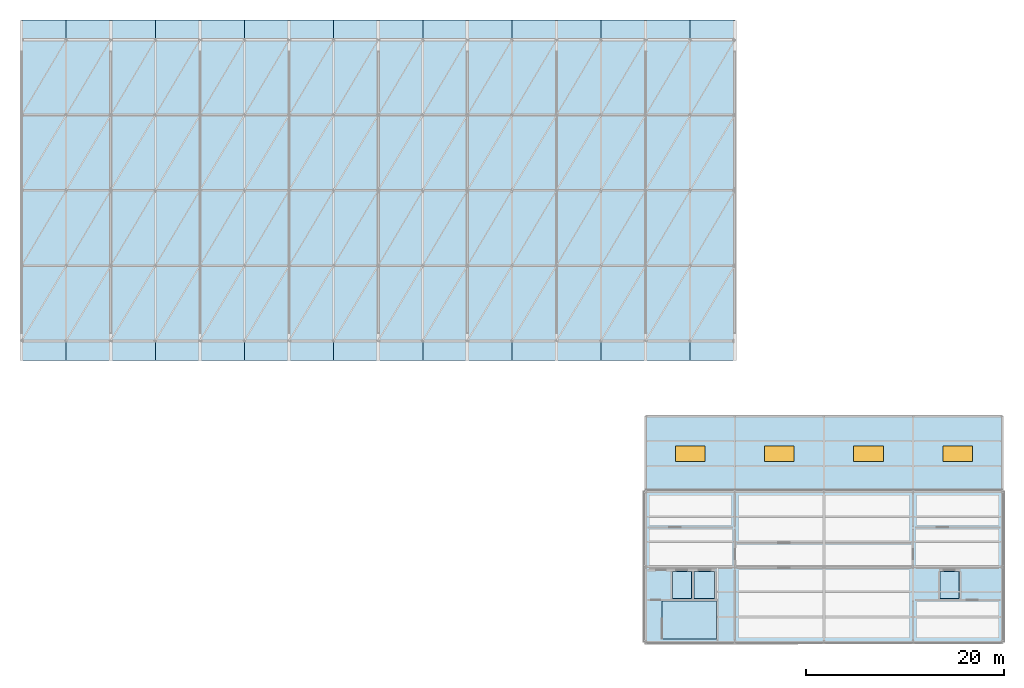
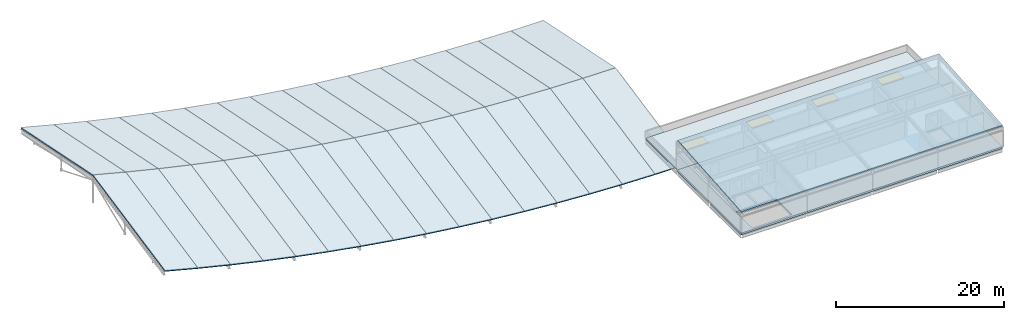
# One storey, part 14 of 21: 35 slabs, 4 windows, 4 openings.
"""IFC4 building model written with IfcOpenShell, lengths in metres."""

from ifc_helpers import new_model, si_unit, direction, frame, origin, origin_2d, place, context, subcontext, project, spatial, polyline, rectangle, outline, extrude, material, layer, layer_set, type_object, element, fill, save


model = new_model("IFC4")

# Units and contexts
model_context = context("Model", 3, precision=1e-05, world=origin(), true_north=direction((0.0, 1.0)))
body_context = subcontext(model_context, "Body", "Model", "MODEL_VIEW")
ifc_project = project(units=[si_unit("LENGTHUNIT", "METRE"), si_unit("AREAUNIT", "SQUARE_METRE"), si_unit("VOLUMEUNIT", "CUBIC_METRE"), si_unit("PLANEANGLEUNIT", "RADIAN"), si_unit("MASSUNIT", "GRAM", prefix="KILO")], contexts=[model_context])

# Site, building, storey
site_placement = place(None, origin())
site = spatial("IfcSite", under=ifc_project, at=site_placement, CompositionType="ELEMENT")
building_placement = place(site_placement, origin())
building = spatial("IfcBuilding", under=site, at=building_placement, Name="Caisbarro Railhouse Central Library", CompositionType="ELEMENT")
storey_placement = place(building_placement, frame((0.0, 0.0, 26.639892578125)))
storey = spatial("IfcBuildingStorey", under=building, at=storey_placement, Name="RF", CompositionType="ELEMENT", Elevation=26.639892578125)

# Slabs
ifc_material_1 = material(Name="Concrete C35", Category="concrete")
ifc_layer_1 = layer(ifc_material_1, 0.280029296875, Name="Concrete C35")
ifc_layer_set_1 = layer_set([ifc_layer_1], Name="Concrete C35")
slab_type_1 = type_object("IfcSlabType", Name="SLB-FL28", PredefinedType="FLOOR", material=ifc_layer_set_1)
slab_1_placement = place(storey_placement, frame((0.0, 0.0, -0.27978515625)))
element("IfcSlab", 1, at=slab_1_placement, inside=storey, type_object=slab_type_1, Name="SF28 Roof Maintenance Headhouse Floor Slab", PredefinedType="FLOOR", context=body_context, shape_type="SweptSolid", body=[
    extrude(outline(polyline([(63.0, 0.0), (99.0, 0.0), (99.0, 15.199951171875), (63.0, 15.199951171875), (63.0, 0.0)]), holes=[polyline([(64.64990234375, 0.300048828125), (70.14990234375, 0.300048828125), (70.14990234375, 4.14990234375), (64.64990234375, 4.14990234375), (64.64990234375, 0.300048828125)]), polyline([(65.699951171875, 4.39990234375), (67.64990234375, 4.39990234375), (67.64990234375, 7.10009765625), (65.699951171875, 7.10009765625), (65.699951171875, 4.39990234375)]), polyline([(67.89990234375, 4.39990234375), (69.949951171875, 4.39990234375), (69.949951171875, 7.10009765625), (67.89990234375, 7.10009765625), (67.89990234375, 4.39990234375)]), polyline([(92.699951171875, 4.39990234375), (94.64990234375, 4.39990234375), (94.64990234375, 7.10009765625), (92.699951171875, 7.10009765625), (92.699951171875, 4.39990234375)])]), origin(), (0.0, 0.0, 1.0), 0.27978515625),
])
ifc_layer_2 = layer(ifc_material_1, 0.14990234375, Name="Concrete C35")
ifc_layer_set_2 = layer_set([ifc_layer_2], Name="Concrete C35")
slab_type_2 = type_object("IfcSlabType", Name="SLB-RF15", PredefinedType="ROOF", material=ifc_layer_set_2)
slab_2_placement = place(storey_placement, frame((0.0, 28.39990234375, -0.647705078125), z_axis=(0.245403430711, -0.193716535516, 0.949868969944), x_axis=(0.968209231083, 0.0, -0.250141729515)))
element("IfcSlab", 2, at=slab_2_placement, inside=storey, type_object=slab_type_2, Name="V1 Gridshell South Roof Strip 1", PredefinedType="ROOF", context=body_context, shape_type="SweptSolid", body=[
    extrude(outline(polyline([(0.0, 0.0), (4.647755728340076, 2.7755575615628914e-17), (3.7703054427759177, 17.53230014344001), (-0.8774502855641584, 17.53230014344001), (0.0, 0.0)])), origin(), (0.0, 0.0, -1.0), 0.14990234375),
])
slab_3_placement = place(storey_placement, frame((0.0, 45.60009765625, 2.860107421875), z_axis=(0.245403299995, 0.193719181993, 0.949868463988), x_axis=(0.968209231083, 0.0, -0.250141729515)))
element("IfcSlab", 3, at=slab_3_placement, inside=storey, type_object=slab_type_2, Name="V1 Gridshell North Roof Strip 1", PredefinedType="ROOF", context=body_context, shape_type="SweptSolid", body=[
    extrude(outline(polyline([(0.0, 0.0), (4.647755728340076, 0.0), (5.525206013904235, 17.53206062750194), (0.8774502855641584, 17.53206062750194), (0.0, 0.0)])), origin(), (0.0, 0.0, -1.0), 0.14990234375),
])
slab_4_placement = place(storey_placement, frame((4.5, 28.39990234375, -1.810302734375), z_axis=(0.23040111793, -0.194450840163, 0.953469556733), x_axis=(0.972023279944, 0.0, -0.234884531731)))
element("IfcSlab", 4, at=slab_4_placement, inside=storey, type_object=slab_type_2, Name="V1 Gridshell South Roof Strip 2", PredefinedType="ROOF", context=body_context, shape_type="SweptSolid", body=[
    extrude(outline(polyline([(0.0, 0.0), (4.629518750063876, 0.0), (3.8055878536001955, 17.53489678330488), (-0.8239308964636806, 17.534896783304884), (0.0, 0.0)])), origin(), (0.0, 0.0, -1.0), 0.14990234375),
])
slab_5_placement = place(storey_placement, frame((4.5, 45.60009765625, 1.697509765625), z_axis=(0.230400994273, 0.194453495885, 0.953469045002), x_axis=(0.972023279944, 0.0, -0.234884531731)))
element("IfcSlab", 5, at=slab_5_placement, inside=storey, type_object=slab_type_2, Name="V1 Gridshell North Roof Strip 2", PredefinedType="ROOF", context=body_context, shape_type="SweptSolid", body=[
    extrude(outline(polyline([(0.0, 0.0), (4.629518750063876, 0.0), (5.453449646527556, 17.534657302835807), (0.8239308964636806, 17.534657302835807), (0.0, 0.0)])), origin(), (0.0, 0.0, -1.0), 0.14990234375),
])
slab_6_placement = place(storey_placement, frame((9.0, 28.39990234375, -2.897705078125), z_axis=(0.215306681858, -0.195146910886, 0.956849369503), x_axis=(0.975606139495, -4.941683e-06, -0.219528268236)))
element("IfcSlab", 6, at=slab_6_placement, inside=storey, type_object=slab_type_2, Name="V1 Gridshell South Roof Strip 3", PredefinedType="ROOF", context=body_context, shape_type="SweptSolid", body=[
    extrude(outline(polyline([(0.0, 0.0), (4.612542875932597, -2.7755575615628914e-17), (3.842340278827366, 17.537387722455975), (-0.7701490013366185, 17.537341241630685), (0.0, 0.0)])), origin(), (0.0, 0.0, -1.0), 0.14990234375),
])
slab_7_placement = place(storey_placement, frame((9.0, 45.60009765625, 0.610107421875), z_axis=(0.215306565474, 0.195149575363, 0.956848852275), x_axis=(0.975606571208, -4.941805e-06, -0.219526349652)))
element("IfcSlab", 7, at=slab_7_placement, inside=storey, type_object=slab_type_2, Name="V1 Gridshell North Roof Strip 3", PredefinedType="ROOF", context=body_context, shape_type="SweptSolid", body=[
    extrude(outline(polyline([(0.0, 0.0), (4.612489280398184, 5.551115123125783e-17), (5.382515150277484, 17.537156036677985), (0.7699722745790923, 17.53710955467796), (0.0, 0.0)])), origin(), (0.0, 0.0, -1.0), 0.14990234375),
])
slab_8_placement = place(storey_placement, frame((13.5, 28.39990234375, -3.910400390625), z_axis=(0.200006381712, -0.195802534411, 0.960030632216), x_axis=(0.978980419738, 0.0, -0.203954254112)))
element("IfcSlab", 8, at=slab_8_placement, inside=storey, type_object=slab_type_2, Name="V1 Gridshell South Roof Strip 4", PredefinedType="ROOF", context=body_context, shape_type="SweptSolid", body=[
    extrude(outline(polyline([(0.0, 0.0), (4.5966190020492235, 0.0), (3.8811359265278997, 17.539705360998024), (-0.715483075521324, 17.539705360998024), (0.0, 0.0)])), origin(), (0.0, 0.0, -1.0), 0.14990234375),
])
slab_9_placement = place(storey_placement, frame((13.5, 45.60009765625, -0.40234375), z_axis=(0.20000627287, 0.195805207128, 0.960030109775), x_axis=(0.978980419738, 0.0, -0.203954254112)))
element("IfcSlab", 9, at=slab_9_placement, inside=storey, type_object=slab_type_2, Name="V1 Gridshell North Roof Strip 4", PredefinedType="ROOF", context=body_context, shape_type="SweptSolid", body=[
    extrude(outline(polyline([(0.0, 0.0), (4.5966190020492235, 2.7755575615628914e-17), (5.312102077570548, 17.539465946184333), (0.715483075521324, 17.539465946184333), (0.0, 0.0)])), origin(), (0.0, 0.0, -1.0), 0.14990234375),
])
slab_10_placement = place(storey_placement, frame((18.0, 28.39990234375, -4.847900390625), z_axis=(0.184558899683, -0.196400861935, 0.962997774649), x_axis=(0.982126157019, 5.038898e-06, -0.188223833966)))
element("IfcSlab", 10, at=slab_10_placement, inside=storey, type_object=slab_type_2, Name="V1 Gridshell South Roof Strip 5", PredefinedType="ROOF", context=body_context, shape_type="SweptSolid", body=[
    extrude(outline(polyline([(0.0, 0.0), (4.581874000915527, 0.0), (3.9217067533661876, 17.541825632320815), (-0.6602132006338037, 17.541872724936475), (0.0, 0.0)])), origin(), (0.0, 0.0, -1.0), 0.14990234375),
])
slab_11_placement = place(storey_placement, frame((18.0, 45.60009765625, -1.33984375), z_axis=(0.184558798632, 0.196403542165, 0.962997247386), x_axis=(0.982125777065, 5.038914e-06, -0.188225816505)))
element("IfcSlab", 11, at=slab_11_placement, inside=storey, type_object=slab_type_2, Name="V1 Gridshell North Roof Strip 5", PredefinedType="ROOF", context=body_context, shape_type="SweptSolid", body=[
    extrude(outline(polyline([(0.0, 0.0), (4.581919954242, 0.0), (5.2422674952711334, 17.54157946027889), (0.6603934945976158, 17.541626553064898), (0.0, 0.0)])), origin(), (0.0, 0.0, -1.0), 0.14990234375),
])
slab_12_placement = place(storey_placement, frame((22.5, 28.39990234375, -5.710205078125), z_axis=(0.169024279245, -0.196951904292, 0.96573326567), x_axis=(0.985026837219, 0.0, -0.172401072964)))
element("IfcSlab", 12, at=slab_12_placement, inside=storey, type_object=slab_type_2, Name="V1 Gridshell South Roof Strip 6", PredefinedType="ROOF", context=body_context, shape_type="SweptSolid", body=[
    extrude(outline(polyline([(0.0, 0.0), (4.5684034484850935, 2.7755575615628914e-17), (3.963652809729535, 17.543823528188717), (-0.6047506387555578, 17.543823528188717), (0.0, 0.0)])), origin(), (0.0, 0.0, -1.0), 0.14990234375),
])
slab_13_placement = place(storey_placement, frame((22.5, 45.60009765625, -2.202392578125), z_axis=(0.169024186181, 0.196954591435, 0.965732733938), x_axis=(0.985026837219, 0.0, -0.172401072964)))
element("IfcSlab", 13, at=slab_13_placement, inside=storey, type_object=slab_type_2, Name="V1 Gridshell North Roof Strip 6", PredefinedType="ROOF", context=body_context, shape_type="SweptSolid", body=[
    extrude(outline(polyline([(0.0, 0.0), (4.5684034484850935, 0.0), (5.1731540872406505, 17.543584169575073), (0.6047506387555578, 17.543584169575077), (0.0, 0.0)])), origin(), (0.0, 0.0, -1.0), 0.14990234375),
])
slab_14_placement = place(storey_placement, frame((27.0, 28.39990234375, -6.497802734375), z_axis=(0.153285473762, -0.197465471964, 0.968251491564), x_axis=(0.987699449242, 0.0, -0.15636431168)))
element("IfcSlab", 14, at=slab_14_placement, inside=storey, type_object=slab_type_2, Name="V1 Gridshell South Roof Strip 7", PredefinedType="ROOF", context=body_context, shape_type="SweptSolid", body=[
    extrude(outline(polyline([(0.0, 0.0), (4.556041823708436, 0.0), (4.007545136643022, 17.545672364078314), (-0.5484966870654145, 17.545672364078314), (0.0, 0.0)])), origin(), (0.0, 0.0, -1.0), 0.14990234375),
])
slab_15_placement = place(storey_placement, frame((27.0, 45.60009765625, -2.989990234375), z_axis=(0.153285388922, 0.197468165547, 0.968250955661), x_axis=(0.987699449242, 0.0, -0.15636431168)))
element("IfcSlab", 15, at=slab_15_placement, inside=storey, type_object=slab_type_2, Name="V1 Gridshell North Roof Strip 7", PredefinedType="ROOF", context=body_context, shape_type="SweptSolid", body=[
    extrude(outline(polyline([(0.0, 0.0), (4.556041823708436, 0.0), (5.104538510773851, 17.545433030686898), (0.5484966870654145, 17.5454330306869), (0.0, 0.0)])), origin(), (0.0, 0.0, -1.0), 0.14990234375),
])
slab_16_placement = place(storey_placement, frame((31.5, 28.39990234375, -7.210205078125), z_axis=(0.13750645474, -0.197935468089, 0.970522295147), x_axis=(0.990111454344, -5.159519e-06, -0.140282956731)))
element("IfcSlab", 16, at=slab_16_placement, inside=storey, type_object=slab_type_2, Name="V1 Gridshell South Roof Strip 8", PredefinedType="ROOF", context=body_context, shape_type="SweptSolid", body=[
    extrude(outline(polyline([(0.0, 0.0), (4.544959328481265, 0.0), (4.052750025824427, 17.54739040912701), (-0.492175053888105, 17.54734256306629), (0.0, 0.0)])), origin(), (0.0, 0.0, -1.0), 0.14990234375),
])
slab_17_placement = place(storey_placement, frame((31.5, 45.60009765625, -3.702392578125), z_axis=(0.137506378271, 0.197938167561, 0.970521755427), x_axis=(0.990111746659, -5.159625e-06, -0.14028089357)))
element("IfcSlab", 17, at=slab_17_placement, inside=storey, type_object=slab_type_2, Name="V1 Gridshell North Roof Strip 8", PredefinedType="ROOF", context=body_context, shape_type="SweptSolid", body=[
    extrude(outline(polyline([(0.0, 0.0), (4.544925079964379, -2.7755575615628914e-17), (5.036949654904875, 17.547156279931414), (0.491990326675464, 17.547108432857613), (0.0, 0.0)])), origin(), (0.0, 0.0, -1.0), 0.14990234375),
])
slab_18_placement = place(storey_placement, frame((36.0, 28.39990234375, -7.847900390625), z_axis=(0.121570115687, -0.198358143679, 0.972560925499), x_axis=(0.992277876714, 0.0, -0.124034734589)))
element("IfcSlab", 18, at=slab_18_placement, inside=storey, type_object=slab_type_2, Name="V1 Gridshell South Roof Strip 9", PredefinedType="ROOF", context=body_context, shape_type="SweptSolid", body=[
    extrude(outline(polyline([(0.0, 0.0), (4.535019983417935, 0.0), (4.099899109074102, 17.548898826042915), (-0.4351208743438321, 17.548898826042915), (0.0, 0.0)])), origin(), (0.0, 0.0, -1.0), 0.14990234375),
])
slab_19_placement = place(storey_placement, frame((36.0, 45.60009765625, -4.33984375), z_axis=(0.121570047792, 0.198360848444, 0.972560382333), x_axis=(0.992277876714, 0.0, -0.124034734589)))
element("IfcSlab", 19, at=slab_19_placement, inside=storey, type_object=slab_type_2, Name="V1 Gridshell North Roof Strip 9", PredefinedType="ROOF", context=body_context, shape_type="SweptSolid", body=[
    extrude(outline(polyline([(0.0, 0.0), (4.535019983417935, 0.0), (4.970140857761767, 17.548659536654867), (0.4351208743438321, 17.548659536654863), (0.0, 0.0)])), origin(), (0.0, 0.0, -1.0), 0.14990234375),
])
slab_20_placement = place(storey_placement, frame((40.5, 28.39990234375, -8.410400390625), z_axis=(0.105539545839, -0.198717664386, 0.974357580216), x_axis=(0.994184942063, 5.221807e-06, -0.107686122354)))
element("IfcSlab", 20, at=slab_20_placement, inside=storey, type_object=slab_type_2, Name="V1 Gridshell South Roof Strip 10", PredefinedType="ROOF", context=body_context, shape_type="SweptSolid", body=[
    extrude(outline(polyline([(0.0, 0.0), (4.526308191485939, -1.3877787807814457e-17), (4.1486552815074065, 17.55018078507288), (-0.3776792005357489, 17.55022901814435), (0.0, 0.0)])), origin(), (0.0, 0.0, -1.0), 0.14990234375),
])
slab_21_placement = place(storey_placement, frame((40.5, 45.60009765625, -4.90234375), z_axis=(0.105539486682, 0.198720373651, 0.974357034073), x_axis=(0.994184714026, 5.221844e-06, -0.107688227624)))
element("IfcSlab", 21, at=slab_21_placement, inside=storey, type_object=slab_type_2, Name="V1 Gridshell North Roof Strip 10", PredefinedType="ROOF", context=body_context, shape_type="SweptSolid", body=[
    extrude(outline(polyline([(0.0, 0.0), (4.526334482300145, 1.3877787807814457e-17), (4.904174408733262, 17.549937487805668), (0.37786621750431404, 17.549985721254576), (0.0, 0.0)])), origin(), (0.0, 0.0, -1.0), 0.14990234375),
])
slab_22_placement = place(storey_placement, frame((45.0, 28.39990234375, -8.897705078125), z_axis=(0.089478753626, -0.199025478206, 0.975900820614), x_axis=(0.995822939855, 0.0, -0.091305380228)))
element("IfcSlab", 22, at=slab_22_placement, inside=storey, type_object=slab_type_2, Name="V1 Gridshell South Roof Strip 11", PredefinedType="ROOF", context=body_context, shape_type="SweptSolid", body=[
    extrude(outline(polyline([(0.0, 0.0), (4.518875615232511, 0.0), (4.1985934611529085, 17.551321507655242), (-0.3202821540796016, 17.551321507655242), (0.0, 0.0)])), origin(), (0.0, 0.0, -1.0), 0.14990234375),
])
slab_23_placement = place(storey_placement, frame((45.0, 45.60009765625, -5.389892578125), z_axis=(0.089478703316, 0.199028191321, 0.975900271909), x_axis=(0.995822939855, 0.0, -0.091305380228)))
element("IfcSlab", 23, at=slab_23_placement, inside=storey, type_object=slab_type_2, Name="V1 Gridshell North Roof Strip 11", PredefinedType="ROOF", context=body_context, shape_type="SweptSolid", body=[
    extrude(outline(polyline([(0.0, 0.0), (4.518875615232511, 0.0), (4.839157769312112, 17.551082251297743), (0.3202821540796016, 17.551082251297743), (0.0, 0.0)])), origin(), (0.0, 0.0, -1.0), 0.14990234375),
])
slab_24_placement = place(storey_placement, frame((49.5, 28.39990234375, -9.310302734375), z_axis=(0.073268616355, -0.199289951634, 0.977197638677), x_axis=(0.997200923626, 0.0, -0.074768428627)))
element("IfcSlab", 24, at=slab_24_placement, inside=storey, type_object=slab_type_2, Name="V1 Gridshell South Roof Strip 12", PredefinedType="ROOF", context=body_context, shape_type="SweptSolid", body=[
    extrude(outline(polyline([(0.0, 0.0), (4.512631199374484, 0.0), (4.25035757083165, 17.55228417805142), (-0.262273628542834, 17.55228417805142), (0.0, 0.0)])), origin(), (0.0, 0.0, -1.0), 0.14990234375),
])
slab_25_placement = place(storey_placement, frame((49.5, 45.60009765625, -5.802490234375), z_axis=(0.07326857505, 0.199292668056, 0.977197087782), x_axis=(0.997200923626, 0.0, -0.074768428627)))
element("IfcSlab", 25, at=slab_25_placement, inside=storey, type_object=slab_type_2, Name="V1 Gridshell North Roof Strip 12", PredefinedType="ROOF", context=body_context, shape_type="SweptSolid", body=[
    extrude(outline(polyline([(0.0, 0.0), (4.512631199374484, 0.0), (4.774904827917317, 17.552044934816326), (0.262273628542834, 17.552044934816323), (0.0, 0.0)])), origin(), (0.0, 0.0, -1.0), 0.14990234375),
])
slab_26_placement = place(storey_placement, frame((54.0, 28.39990234375, -9.647705078125), z_axis=(0.057079475368, -0.199507913023, 0.978232347724), x_axis=(0.998301933484, -5.285194e-06, -0.058251605759)))
element("IfcSlab", 26, at=slab_26_placement, inside=storey, type_object=slab_type_2, Name="V1 Gridshell South Roof Strip 13", PredefinedType="ROOF", context=body_context, shape_type="SweptSolid", body=[
    extrude(outline(polyline([(0.0, 0.0), (4.507661124458002, -6.938893903907228e-18), (4.303220285678668, 17.553101837315243), (-0.20442661719589675, 17.55305321211172), (0.0, 0.0)])), origin(), (0.0, 0.0, -1.0), 0.14990234375),
])
slab_27_placement = place(storey_placement, frame((54.0, 45.60009765625, -6.139892578125), z_axis=(0.057079443119, 0.19951063217, 0.978231795039), x_axis=(0.99830205885, -5.28528e-06, -0.058249457238)))
element("IfcSlab", 27, at=slab_27_placement, inside=storey, type_object=slab_type_2, Name="V1 Gridshell North Roof Strip 13", PredefinedType="ROOF", context=body_context, shape_type="SweptSolid", body=[
    extrude(outline(polyline([(0.0, 0.0), (4.507646903136833, 1.3877787807814457e-17), (4.711898391858074, 17.552864809591995), (0.20423726766234418, 17.552816183572332), (0.0, 0.0)])), origin(), (0.0, 0.0, -1.0), 0.14990234375),
])
slab_28_placement = place(storey_placement, frame((58.5, 28.39990234375, -9.910400390625), z_axis=(0.040792204379, -0.199674053728, 0.979012905089), x_axis=(0.999133073092, 0.0, -0.041630544712)))
element("IfcSlab", 28, at=slab_28_placement, inside=storey, type_object=slab_type_2, Name="V1 Gridshell South Roof Strip 14", PredefinedType="ROOF", context=body_context, shape_type="SweptSolid", body=[
    extrude(outline(polyline([(0.0, 0.0), (4.503904556049118, 6.938893903907228e-18), (4.357862247218715, 17.55368485036722), (-0.1460423088304037, 17.55368485036722), (0.0, 0.0)])), origin(), (0.0, 0.0, -1.0), 0.14990234375),
])
slab_29_placement = place(storey_placement, frame((58.5, 45.60009765625, -6.40234375), z_axis=(0.040792181293, 0.199676774951, 0.979012351041), x_axis=(0.999133073092, 0.0, -0.041630544712)))
element("IfcSlab", 29, at=slab_29_placement, inside=storey, type_object=slab_type_2, Name="V1 Gridshell North Roof Strip 14", PredefinedType="ROOF", context=body_context, shape_type="SweptSolid", body=[
    extrude(outline(polyline([(0.0, 0.0), (4.503904556049118, 0.0), (4.649946864879522, 17.55344562622247), (0.1460423088304037, 17.55344562622247), (0.0, 0.0)])), origin(), (0.0, 0.0, -1.0), 0.14990234375),
])
slab_30_placement = place(storey_placement, frame((63.0, 28.39990234375, -10.097900390625), z_axis=(0.024472466289, -0.199773865047, 0.979536370554), x_axis=(0.999688079804, 5.306664e-06, -0.02497484875)))
element("IfcSlab", 30, at=slab_30_placement, inside=storey, type_object=slab_type_2, Name="V1 Gridshell South Roof Strip 15", PredefinedType="ROOF", context=body_context, shape_type="SweptSolid", body=[
    extrude(outline(polyline([(0.0, 0.0), (4.501401151701205, 0.0), (4.413885340724289, 17.55402541560866), (-0.08752190835209948, 17.55407417334338), (0.0, 0.0)])), origin(), (0.0, 0.0, -1.0), 0.14990234375),
])
slab_31_placement = place(storey_placement, frame((63.0, 45.60009765625, -6.58984375), z_axis=(0.024472452426, 0.199776587518, 0.979535815655), x_axis=(0.999688025758, 5.306726e-06, -0.024977011988)))
element("IfcSlab", 31, at=slab_31_placement, inside=storey, type_object=slab_type_2, Name="V1 Gridshell North Roof Strip 15", PredefinedType="ROOF", context=body_context, shape_type="SweptSolid", body=[
    extrude(outline(polyline([(0.0, 0.0), (4.5014072493404536, 0.0), (4.589113199632464, 17.553785247120526), (0.08771204819532755, 17.553834005453655), (0.0, 0.0)])), origin(), (0.0, 0.0, -1.0), 0.14990234375),
])
slab_32_placement = place(storey_placement, frame((67.5, 28.39990234375, -10.210205078125), z_axis=(0.008186249275, -0.199820342388, 0.979798354811), x_axis=(0.999965098525, 0.0, -0.008354743119)))
element("IfcSlab", 32, at=slab_32_placement, inside=storey, type_object=slab_type_2, Name="V1 Gridshell South Roof Strip 16", PredefinedType="ROOF", context=body_context, shape_type="SweptSolid", body=[
    extrude(outline(polyline([(0.0, 0.0), (4.500157062120776, -8.673617379884035e-19), (4.470850189773014, 17.554219106258657), (-0.02930687234776197, 17.554219106258657), (0.0, 0.0)])), origin(), (0.0, 0.0, -1.0), 0.14990234375),
])
slab_33_placement = place(storey_placement, frame((67.5, 45.60009765625, -6.702392578125), z_axis=(0.008186244636, 0.19982306544, 0.979797799506), x_axis=(0.999965098525, 0.0, -0.008354743119)))
element("IfcSlab", 33, at=slab_33_placement, inside=storey, type_object=slab_type_2, Name="V1 Gridshell North Roof Strip 16", PredefinedType="ROOF", context=body_context, shape_type="SweptSolid", body=[
    extrude(outline(polyline([(0.0, 0.0), (4.500157062120776, 8.673617379884035e-19), (4.529463934468538, 17.553979889394704), (0.02930687234776197, 17.553979889394704), (0.0, 0.0)])), origin(), (0.0, 0.0, -1.0), 0.14990234375),
])

# Slab, openings, windows
ifc_layer_3 = layer(ifc_material_1, 0.179931640625, Name="Concrete C35")
ifc_layer_set_3 = layer_set([ifc_layer_3], Name="Concrete C35")
slab_type_3 = type_object("IfcSlabType", Name="SLB-RF18", PredefinedType="ROOF", material=ifc_layer_set_3)
slab_34_placement = place(storey_placement, frame((0.0, 0.0, -0.179931640625)))
slab_34 = element("IfcSlab", 34, at=slab_34_placement, inside=storey, type_object=slab_type_3, Name="V5 Archive Wing Top Roof Slab", PredefinedType="ROOF", context=body_context, shape_type="SweptSolid", body=[
    extrude(outline(polyline([(63.0, 15.199951171875), (99.0, 15.199951171875), (99.0, 22.800048828125), (63.0, 22.800048828125), (63.0, 15.199951171875)])), origin(), (0.0, 0.0, 1.0), 0.179931640625),
])
opening_1_placement = place(slab_34_placement, frame((67.5, 19.0, -0.010009765625)))
opening_1 = element("IfcOpeningElement", 35, at=opening_1_placement, cuts=slab_34, Name="Opening SK03", PredefinedType="OPENING", context=body_context, shape_type="SweptSolid", body=[
    extrude(rectangle(XDim=3.0, YDim=1.550048828125, at=origin_2d()), origin(), (0.0, 0.0, 1.0), 0.199951171875),
])
opening_2_placement = place(slab_34_placement, frame((76.5, 19.0, -0.010009765625)))
opening_2 = element("IfcOpeningElement", 36, at=opening_2_placement, cuts=slab_34, Name="Opening SK03", PredefinedType="OPENING", context=body_context, shape_type="SweptSolid", body=[
    extrude(rectangle(XDim=3.0, YDim=1.550048828125, at=origin_2d()), origin(), (0.0, 0.0, 1.0), 0.199951171875),
])
opening_3_placement = place(slab_34_placement, frame((85.5, 19.0, -0.010009765625)))
opening_3 = element("IfcOpeningElement", 37, at=opening_3_placement, cuts=slab_34, Name="Opening SK03", PredefinedType="OPENING", context=body_context, shape_type="SweptSolid", body=[
    extrude(rectangle(XDim=3.0, YDim=1.550048828125, at=origin_2d()), origin(), (0.0, 0.0, 1.0), 0.199951171875),
])
opening_4_placement = place(slab_34_placement, frame((94.5, 19.0, -0.010009765625)))
opening_4 = element("IfcOpeningElement", 38, at=opening_4_placement, cuts=slab_34, Name="Opening SK03", PredefinedType="OPENING", context=body_context, shape_type="SweptSolid", body=[
    extrude(rectangle(XDim=3.0, YDim=1.550048828125, at=origin_2d()), origin(), (0.0, 0.0, 1.0), 0.199951171875),
])
ifc_material_2 = material(Name="Laminated acoustic skylight glass", Category="glass")
window_type = type_object("IfcWindowType", Name="WIN-SK03", PartitioningType="SINGLE_PANEL", PredefinedType="SKYLIGHT", material=ifc_material_2)
window_1_placement = place(slab_34_placement, frame((67.5, 19.0, 0.1298828125)))
window_1 = element("IfcWindow", 39, at=window_1_placement, inside=storey, type_object=window_type, Name="SK03 roof skylight 10", OverallHeight=1.550048828125, OverallWidth=3.0, PartitioningType="SINGLE_PANEL", PredefinedType="SKYLIGHT", context=body_context, shape_type="SweptSolid", body=[
    extrude(rectangle(XDim=3.0, YDim=1.550048828125, at=origin_2d()), origin(), (0.0, 0.0, 1.0), 0.050048828125),
])
fill(opening_1, window_1)
window_2_placement = place(slab_34_placement, frame((76.5, 19.0, 0.1298828125)))
window_2 = element("IfcWindow", 40, at=window_2_placement, inside=storey, type_object=window_type, Name="SK03 roof skylight 11", OverallHeight=1.550048828125, OverallWidth=3.0, PartitioningType="SINGLE_PANEL", PredefinedType="SKYLIGHT", context=body_context, shape_type="SweptSolid", body=[
    extrude(rectangle(XDim=3.0, YDim=1.550048828125, at=origin_2d()), origin(), (0.0, 0.0, 1.0), 0.050048828125),
])
fill(opening_2, window_2)
window_3_placement = place(slab_34_placement, frame((85.5, 19.0, 0.1298828125)))
window_3 = element("IfcWindow", 41, at=window_3_placement, inside=storey, type_object=window_type, Name="SK03 roof skylight 12", OverallHeight=1.550048828125, OverallWidth=3.0, PartitioningType="SINGLE_PANEL", PredefinedType="SKYLIGHT", context=body_context, shape_type="SweptSolid", body=[
    extrude(rectangle(XDim=3.0, YDim=1.550048828125, at=origin_2d()), origin(), (0.0, 0.0, 1.0), 0.050048828125),
])
fill(opening_3, window_3)
window_4_placement = place(slab_34_placement, frame((94.5, 19.0, 0.1298828125)))
window_4 = element("IfcWindow", 42, at=window_4_placement, inside=storey, type_object=window_type, Name="SK03 roof skylight 13", OverallHeight=1.550048828125, OverallWidth=3.0, PartitioningType="SINGLE_PANEL", PredefinedType="SKYLIGHT", context=body_context, shape_type="SweptSolid", body=[
    extrude(rectangle(XDim=3.0, YDim=1.550048828125, at=origin_2d()), origin(), (0.0, 0.0, 1.0), 0.050048828125),
])
fill(opening_4, window_4)

# Slab
slab_35_placement = place(storey_placement, frame((63.0, 0.0, 3.1201171875), z_axis=(0.0, -0.078699554089, 0.99689838007), x_axis=(1.0, 0.0, 0.0)))
element("IfcSlab", 43, at=slab_35_placement, inside=storey, type_object=slab_type_3, Name="V5 Roof Maintenance Headhouse Sloped Roof Slab", PredefinedType="ROOF", context=body_context, shape_type="SweptSolid", body=[
    extrude(outline(polyline([(0.0, 0.0), (36.0, 0.0), (36.0, 15.247242322540437), (0.0, 15.247242322540437), (0.0, 0.0)])), origin(), (0.0, 0.0, -1.0), 0.179931640625),
])

save(model, "model.ifc")
